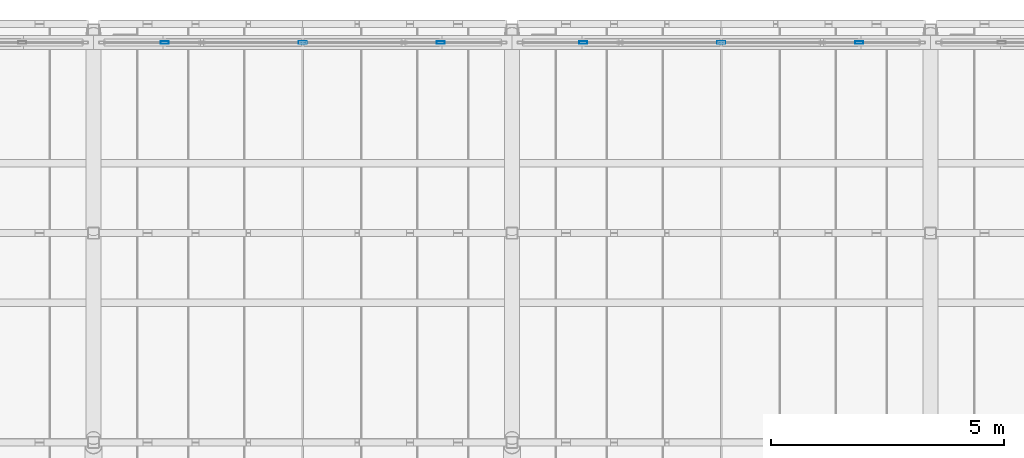
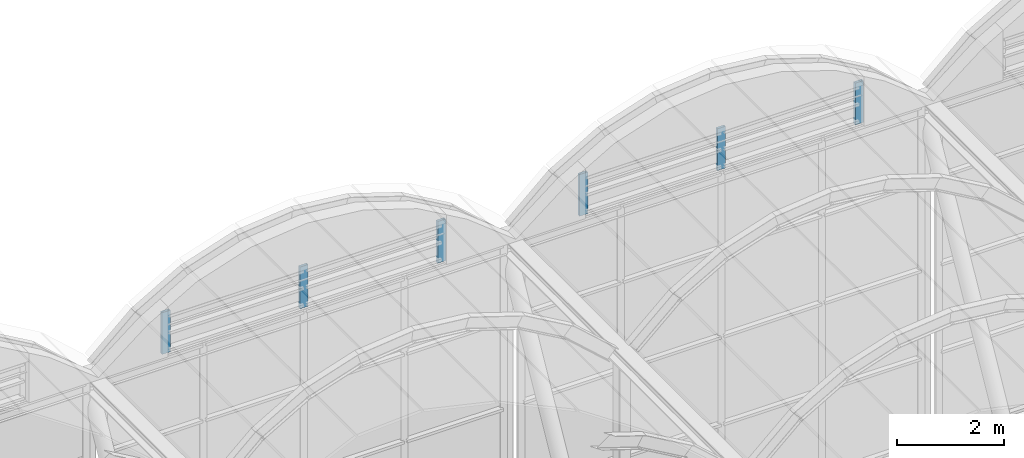
# One storey, part 114 of 144: 6 members, 2 elements without a shape of their own.
"""IFC4 building model written with IfcOpenShell, lengths in metres."""

import ifcopenshell
import ifcopenshell.guid

model = None  # the IFC model being written
_history = None  # IfcOwnerHistory: only IFC2X3 demands one
_inside = {}  # id of a spatial element -> (the spatial element, [elements in it])
_under = {}  # id of a project, library or spatial element -> (it, [spatial elements below it])
_declared = {}  # id of a project -> (the project, [libraries it declares])
_typed = {}  # id of a type object -> (the type object, [elements of that type])
_made_of = {}  # id of a material, layer set ... -> (it, [elements and type objects made of it])


def new_model(schema):
    """Start an empty IFC model of exactly this schema.

    Asked for "IFC4X3", IfcOpenShell would pick the latest addendum, in which some entities
    have other attributes; the version numbers below select the first issue.
    IFC2X3 requires an IfcOwnerHistory on every rooted entity: one is made here for all.
    """
    global model, _history
    if schema == "IFC4X3":
        model = ifcopenshell.file(schema_version=(4, 3, 0, 0))
    else:
        model = ifcopenshell.file(schema=schema)
    _inside.clear()
    _under.clear()
    _declared.clear()
    _typed.clear()
    _made_of.clear()
    _history = None
    if model.schema == "IFC2X3":
        org = make("IfcOrganization", Name="unknown")
        user = make(
            "IfcPersonAndOrganization",
            ThePerson=make("IfcPerson", FamilyName="unknown"),
            TheOrganization=org,
        )
        app = make(
            "IfcApplication",
            ApplicationDeveloper=org,
            Version="unknown",
            ApplicationFullName="unknown",
            ApplicationIdentifier="unknown",
        )
        _history = make(
            "IfcOwnerHistory",
            OwningUser=user,
            OwningApplication=app,
            ChangeAction="ADDED",
            CreationDate=0,
        )
    return model


def make(cls, **values):
    """One entity of the class cls with the attributes given. An attribute that is None is left unset."""
    return model.create_entity(
        cls, **{name: value for name, value in values.items() if value is not None}
    )


def rooted(cls, **values):
    """An entity with a GlobalId (a new one), such as an element, a storey or a relation."""
    return make(cls, GlobalId=ifcopenshell.guid.new(), OwnerHistory=_history, **values)


def si_unit(unit_type, name, prefix=None):
    """IfcSIUnit, for example si_unit("LENGTHUNIT", "METRE", prefix="MILLI")."""
    return make("IfcSIUnit", UnitType=unit_type, Prefix=prefix, Name=name)


def assignment(units):
    """IfcUnitAssignment: the units of a project."""
    return None if units is None else make("IfcUnitAssignment", Units=units)


def point(xyz):
    """IfcCartesianPoint."""
    return None if xyz is None else make("IfcCartesianPoint", Coordinates=xyz)


def direction(xyz):
    """IfcDirection."""
    return None if xyz is None else make("IfcDirection", DirectionRatios=xyz)


def frame(location, z_axis=None, x_axis=None):
    """IfcAxis2Placement3D, a coordinate frame: its origin and axes. An axis left out is left unset."""
    return make(
        "IfcAxis2Placement3D",
        Location=point(location),
        Axis=direction(z_axis),
        RefDirection=direction(x_axis),
    )


def frame_2d(location, x_axis=None):
    """IfcAxis2Placement2D, a coordinate frame in the plane: its origin and x axis."""
    return make(
        "IfcAxis2Placement2D", Location=point(location), RefDirection=direction(x_axis)
    )


def origin():
    """The frame at (0, 0, 0) with its axes left unset."""
    return frame((0.0, 0.0, 0.0))


def origin_2d():
    """The frame at (0, 0) in the plane with its x axis left unset."""
    return frame_2d((0.0, 0.0))


def place(relative_to, where):
    """IfcLocalPlacement: puts the frame where relative to a parent placement (None: the world)."""
    return make(
        "IfcLocalPlacement", PlacementRelTo=relative_to, RelativePlacement=where
    )


def context(
    kind, dimensions, precision=None, world=None, true_north=None, identifier=None
):
    """IfcGeometricRepresentationContext, for example the 3D "Model" context."""
    return make(
        "IfcGeometricRepresentationContext",
        ContextIdentifier=identifier,
        ContextType=kind,
        CoordinateSpaceDimension=dimensions,
        Precision=precision,
        WorldCoordinateSystem=world,
        TrueNorth=true_north,
    )


def subcontext(parent, identifier, kind, view, scale=None):
    """IfcGeometricRepresentationSubContext, for example "Body" below "Model"."""
    return make(
        "IfcGeometricRepresentationSubContext",
        ContextIdentifier=identifier,
        ContextType=kind,
        ParentContext=parent,
        TargetScale=scale,
        TargetView=view,
    )


def project(units=None, contexts=None):
    """IfcProject with its units and contexts."""
    return rooted(
        "IfcProject",
        Name="project",
        RepresentationContexts=contexts,
        UnitsInContext=assignment(units),
    )


def spatial(cls, under=None, at=None, **own):
    """A site, building, storey or space (cls), placed at a placement, below another one or the project."""
    s = rooted(cls, ObjectPlacement=at, **own)
    if under is not None:
        _under.setdefault(under.id(), (under, []))[1].append(s)
    return s


def profile(cls, at=None, kind="AREA", **sizes):
    """A parametric profile (cls). Its sizes go by their IFC names, for example OverallWidth=200.0."""
    return make(cls, ProfileType=kind, Position=at, **sizes)


def hollow_rectangle(**sizes):
    """IfcRectangleHollowProfileDef."""
    return profile("IfcRectangleHollowProfileDef", **sizes)


def extrude(swept, where, along, depth):
    """IfcExtrudedAreaSolid: the profile swept, set in the frame where, extruded along a direction by depth."""
    return make(
        "IfcExtrudedAreaSolid",
        SweptArea=swept,
        Position=where,
        ExtrudedDirection=direction(along),
        Depth=depth,
    )


def shape(context_of_items, identifier, shape_type, items):
    """IfcShapeRepresentation: the items that make up one representation, for example the "Body"."""
    return make(
        "IfcShapeRepresentation",
        ContextOfItems=context_of_items,
        RepresentationIdentifier=identifier,
        RepresentationType=shape_type,
        Items=items,
    )


def material(Name=None, Category=None):
    """IfcMaterial."""
    return make("IfcMaterial", Name=Name, Category=Category)


def layer(
    of_material, thickness, ventilated=None, Name=None, Category=None, Priority=None
):
    """IfcMaterialLayer: one layer of a wall or slab, of a material (None: an air gap)."""
    return make(
        "IfcMaterialLayer",
        Material=of_material,
        LayerThickness=thickness,
        IsVentilated=ventilated,
        Name=Name,
        Category=Category,
        Priority=Priority,
    )


def layer_set(layers, Name=None):
    """IfcMaterialLayerSet."""
    return make("IfcMaterialLayerSet", MaterialLayers=layers, LayerSetName=Name)


def material_profile(
    of_material, cross_section, Name=None, Category=None, Priority=None
):
    """IfcMaterialProfile: a cross section and its material."""
    return make(
        "IfcMaterialProfile",
        Name=Name,
        Material=of_material,
        Profile=cross_section,
        Priority=Priority,
        Category=Category,
    )


def profile_set(profiles, Name=None, composite=None):
    """IfcMaterialProfileSet."""
    return make(
        "IfcMaterialProfileSet",
        Name=Name,
        MaterialProfiles=profiles,
        CompositeProfile=composite,
    )


def made_of(thing, what):
    """Note that an element or type object is made of a material, layer set ...; save() writes the relation."""
    if what is not None:
        _made_of.setdefault(what.id(), (what, []))[1].append(thing)
    return thing


def type_object(cls, material=None, **own):
    """A type object (cls), such as IfcWallType, which elements share."""
    return made_of(rooted(cls, **own), material)


def element(
    cls,
    number,
    at=None,
    inside=None,
    cuts=None,
    type_object=None,
    material=None,
    context=None,
    identifier="Body",
    shape_type=None,
    held_by="IfcProductDefinitionShape",
    body=None,
    shapes=None,
    **own,
):
    """One element of the class cls, such as IfcWall. Its Tag is "e" and its number.

    at: its placement. inside: the storey or other place that contains it. cuts: it is an
    opening in that element (IfcRelVoidsElement). A single representation is given by context,
    identifier, shape_type and body (its items); several are given by shapes. held_by: the class
    of the entity that holds the representations. save() writes the other relations.
    """
    e = rooted(cls, Tag="e%d" % number, ObjectPlacement=at, **own)
    if body is not None:
        shapes = [shape(context, identifier, shape_type, body)]
    if shapes is not None:
        e.Representation = make(held_by, Representations=shapes)
    if inside is not None:
        _inside.setdefault(inside.id(), (inside, []))[1].append(e)
    if cuts is not None:
        rooted(
            "IfcRelVoidsElement", RelatingBuildingElement=cuts, RelatedOpeningElement=e
        )
    if type_object is not None:
        _typed.setdefault(type_object.id(), (type_object, []))[1].append(e)
    return made_of(e, material)


def aggregate(whole, parts):
    """IfcRelAggregates: a whole, such as a stair, and the parts it consists of."""
    return rooted("IfcRelAggregates", RelatingObject=whole, RelatedObjects=parts)


def save(model, path):
    """Write the relations noted so far, then the file.

    IfcRelAggregates (storeys below a building ...), IfcRelContainedInSpatialStructure (elements
    in a storey), IfcRelDefinesByType, IfcRelAssociatesMaterial and IfcRelDeclares: one each for
    every whole, place, type object, material and project.
    """
    for whole, parts in _under.values():
        aggregate(whole, parts)
    for where, things in _inside.values():
        rooted(
            "IfcRelContainedInSpatialStructure",
            RelatedElements=things,
            RelatingStructure=where,
        )
    for kind, things in _typed.values():
        rooted("IfcRelDefinesByType", RelatedObjects=things, RelatingType=kind)
    for what, things in _made_of.values():
        rooted("IfcRelAssociatesMaterial", RelatedObjects=things, RelatingMaterial=what)
    for by, libraries in _declared.values():
        rooted("IfcRelDeclares", RelatingContext=by, RelatedDefinitions=libraries)
    model.write(path)


model = new_model("IFC4")

# Units and contexts
model_context = context("Model", 3, precision=1e-05, world=origin(), true_north=direction((0.0, 1.0)))
body_context = subcontext(model_context, "Body", "Model", "MODEL_VIEW")
ifc_project = project(units=[si_unit("LENGTHUNIT", "METRE"), si_unit("AREAUNIT", "SQUARE_METRE"), si_unit("VOLUMEUNIT", "CUBIC_METRE"), si_unit("PLANEANGLEUNIT", "RADIAN"), si_unit("MASSUNIT", "GRAM", prefix="KILO")], contexts=[model_context])

# Site, building, storey
site_placement = place(None, origin())
site = spatial("IfcSite", under=ifc_project, at=site_placement, CompositionType="ELEMENT")
building_placement = place(site_placement, origin())
building = spatial("IfcBuilding", under=site, at=building_placement, Name="Shorebreak Coast Museum", CompositionType="ELEMENT")
storey_placement = place(building_placement, frame((0.0, 0.0, 36.0)))
storey = spatial("IfcBuildingStorey", under=building, at=storey_placement, Name="L06", CompositionType="ELEMENT", Elevation=36.0)

# Curtain wall, members
ifc_material_1 = material(Name="Aluminium", Category="aluminium")
ifc_layer = layer(ifc_material_1, 0.175048828125)
ifc_layer_set = layer_set([ifc_layer], Name="Aluminium")
curtain_wall_type = type_object("IfcCurtainWallType", Name="Gable curtain wall", PredefinedType="NOTDEFINED", material=ifc_layer_set)
curtain_wall_1_placement = place(storey_placement, origin())
curtain_wall_1 = element("IfcCurtainWall", 1, at=curtain_wall_1_placement, inside=storey, type_object=curtain_wall_type, Name="Vault arch glazing V3", PredefinedType="NOTDEFINED")
ifc_material_2 = material(Name="Aluminium", Category="aluminium")
ifc_material_profile = material_profile(ifc_material_2, hollow_rectangle(XDim=0.06005859375, YDim=0.175048828125, WallThickness=0.00390625, at=origin_2d()), Name="AL 175x60 RHS")
ifc_profile_set = profile_set([ifc_material_profile], Name="Aluminium")
member_type = type_object("IfcMemberType", Name="Gable mullion 60 x 175", PredefinedType="MULLION", material=ifc_profile_set)
member_1_placement = place(storey_placement, frame((73.530029296875, 134.60009765625, 7.800048828125), z_axis=(0.0, 0.0, 1.0), x_axis=(0.0, 1.0, 0.0)))
member_1 = element("IfcMember", 2, at=member_1_placement, type_object=member_type, Name="CW9 mullion 1", PredefinedType="MULLION", context=body_context, shape_type="SweptSolid", body=[
    extrude(hollow_rectangle(XDim=0.06005859375, YDim=0.175048828125, WallThickness=0.00390625, at=origin_2d()), origin(), (0.0, 0.0, 1.0), 0.949951171875),
])
member_2_placement = place(storey_placement, frame((76.5, 134.60009765625, 7.800048828125), z_axis=(0.0, 0.0, 1.0), x_axis=(0.0, 1.0, 0.0)))
member_2 = element("IfcMember", 3, at=member_2_placement, type_object=member_type, Name="CW9 mullion 2", PredefinedType="MULLION", context=body_context, shape_type="SweptSolid", body=[
    extrude(hollow_rectangle(XDim=0.06005859375, YDim=0.175048828125, WallThickness=0.00390625, at=origin_2d()), origin(), (0.0, 0.0, 1.0), 0.949951171875),
])
member_3_placement = place(storey_placement, frame((79.469970703125, 134.60009765625, 7.800048828125), z_axis=(0.0, 0.0, 1.0), x_axis=(0.0, 1.0, 0.0)))
member_3 = element("IfcMember", 4, at=member_3_placement, type_object=member_type, Name="CW9 mullion 3", PredefinedType="MULLION", context=body_context, shape_type="SweptSolid", body=[
    extrude(hollow_rectangle(XDim=0.06005859375, YDim=0.175048828125, WallThickness=0.00390625, at=origin_2d()), origin(), (0.0, 0.0, 1.0), 0.949951171875),
])
aggregate(curtain_wall_1, [member_1, member_2, member_3])

curtain_wall_2_placement = place(storey_placement, origin())
curtain_wall_2 = element("IfcCurtainWall", 5, at=curtain_wall_2_placement, inside=storey, type_object=curtain_wall_type, Name="Vault arch glazing V4", PredefinedType="NOTDEFINED")
member_4_placement = place(storey_placement, frame((82.530029296875, 134.60009765625, 7.800048828125), z_axis=(0.0, 0.0, 1.0), x_axis=(0.0, 1.0, 0.0)))
member_4 = element("IfcMember", 6, at=member_4_placement, type_object=member_type, Name="CW9 mullion 1", PredefinedType="MULLION", context=body_context, shape_type="SweptSolid", body=[
    extrude(hollow_rectangle(XDim=0.06005859375, YDim=0.175048828125, WallThickness=0.00390625, at=origin_2d()), origin(), (0.0, 0.0, 1.0), 0.949951171875),
])
member_5_placement = place(storey_placement, frame((85.5, 134.60009765625, 7.800048828125), z_axis=(0.0, 0.0, 1.0), x_axis=(0.0, 1.0, 0.0)))
member_5 = element("IfcMember", 7, at=member_5_placement, type_object=member_type, Name="CW9 mullion 2", PredefinedType="MULLION", context=body_context, shape_type="SweptSolid", body=[
    extrude(hollow_rectangle(XDim=0.06005859375, YDim=0.175048828125, WallThickness=0.00390625, at=origin_2d()), origin(), (0.0, 0.0, 1.0), 0.949951171875),
])
member_6_placement = place(storey_placement, frame((88.469970703125, 134.60009765625, 7.800048828125), z_axis=(0.0, 0.0, 1.0), x_axis=(0.0, 1.0, 0.0)))
member_6 = element("IfcMember", 8, at=member_6_placement, type_object=member_type, Name="CW9 mullion 3", PredefinedType="MULLION", context=body_context, shape_type="SweptSolid", body=[
    extrude(hollow_rectangle(XDim=0.06005859375, YDim=0.175048828125, WallThickness=0.00390625, at=origin_2d()), origin(), (0.0, 0.0, 1.0), 0.949951171875),
])
aggregate(curtain_wall_2, [member_4, member_5, member_6])

save(model, "model.ifc")
